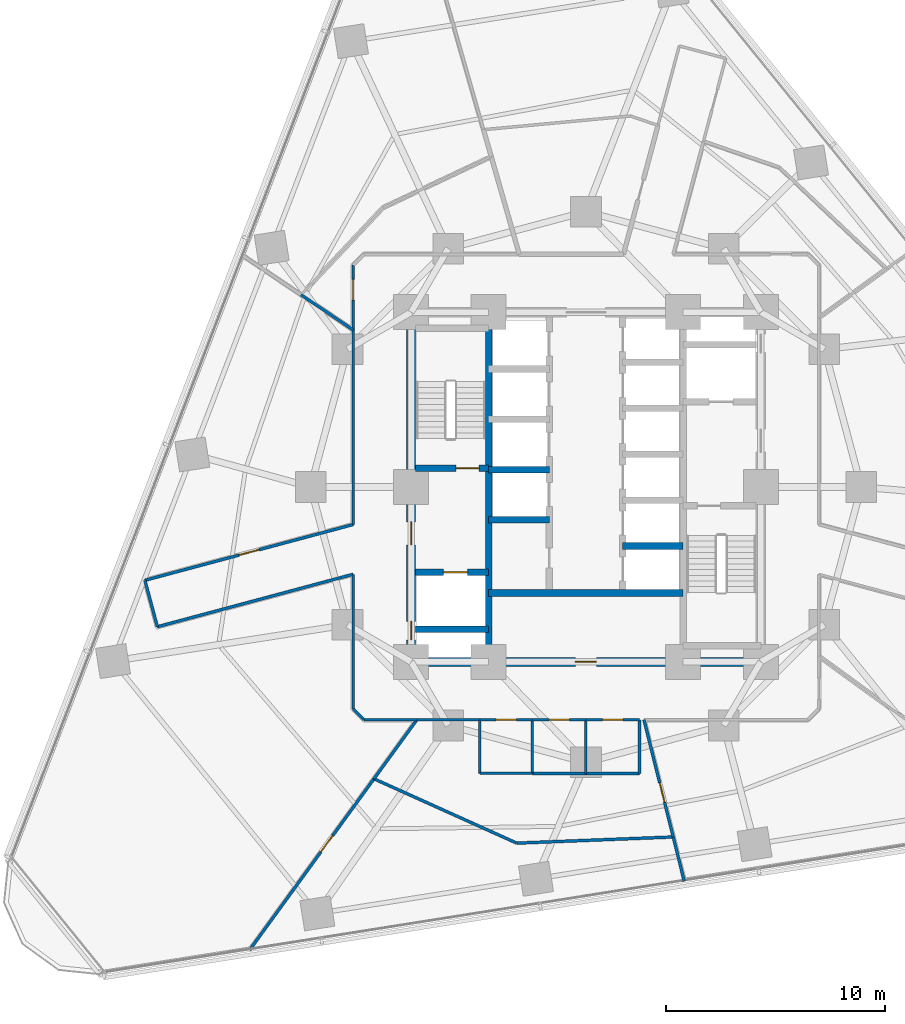
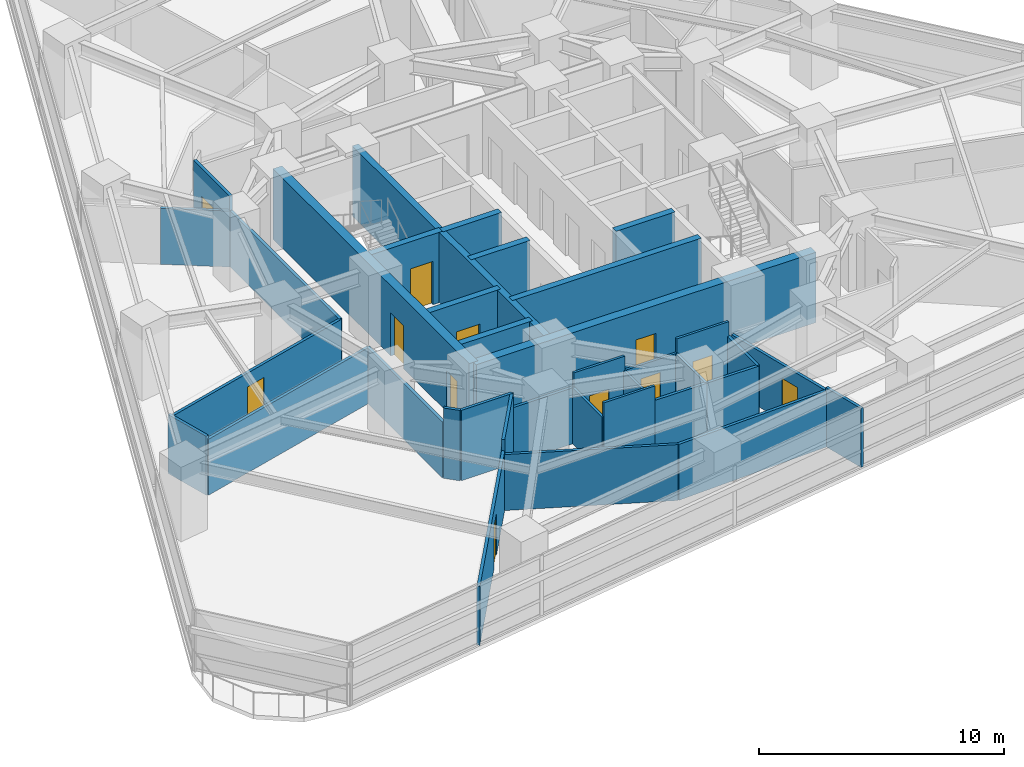
# One storey, part 7 of 13: 36 walls, 12 doors, 12 openings.
"""IFC4 building model written with IfcOpenShell, lengths in metres."""

from ifc_helpers import new_model, si_unit, direction, frame, frame_2d, origin, place, context, subcontext, project, spatial, rectangle, extrude, material, layer, layer_set, type_object, element, fill, save


model = new_model("IFC4")

# Units and contexts
model_context = context("Model", 3, precision=1e-05, world=origin(), true_north=direction((0.0, 1.0)))
body_context = subcontext(model_context, "Body", "Model", "MODEL_VIEW")
ifc_project = project(units=[si_unit("LENGTHUNIT", "METRE"), si_unit("AREAUNIT", "SQUARE_METRE"), si_unit("VOLUMEUNIT", "CUBIC_METRE"), si_unit("PLANEANGLEUNIT", "RADIAN"), si_unit("MASSUNIT", "GRAM", prefix="KILO")], contexts=[model_context])

# Site, building, storey
site_placement = place(None, origin())
site = spatial("IfcSite", under=ifc_project, at=site_placement, CompositionType="ELEMENT")
building_placement = place(site_placement, origin())
building = spatial("IfcBuilding", under=site, at=building_placement, Name="Terralouvre Media Tower", CompositionType="ELEMENT")
storey_placement = place(building_placement, frame((0.0, 0.0, 55.60009765625)))
storey = spatial("IfcBuildingStorey", under=building, at=storey_placement, Name="L13", CompositionType="ELEMENT", Elevation=55.60009765625)

# Wall
ifc_material_1 = material(Name="Concrete C50/60", Category="concrete")
ifc_layer_1 = layer(ifc_material_1, 0.300048828125, Name="Core Internal Shaft Wall CW-300")
ifc_layer_set_1 = layer_set([ifc_layer_1], Name="Concrete C50/60")
wall_type_1 = type_object("IfcWallType", Name="Core Internal Shaft Wall CW-300", PredefinedType="SHEAR", material=ifc_layer_set_1)
wall_1_placement = place(storey_placement, frame((-4.449951171875, -7.7900390625, 0.0), z_axis=(0.0, 0.0, 1.0), x_axis=(0.0, 1.0, 0.0)))
element("IfcWall", 1, at=wall_1_placement, inside=storey, type_object=wall_type_1, Name="L13 Core Shaft Wall SPW", PredefinedType="SHEAR", context=body_context, shape_type="SweptSolid", body=[
    extrude(rectangle(XDim=15.580078125, YDim=0.300048828125, at=frame_2d((7.7900390625, 0.0))), origin(), (0.0, 0.0, 1.0), 3.5),
])

# Wall, opening, door
wall_2_placement = place(storey_placement, frame((-7.7900390625, 0.85009765625, 0.0), z_axis=(0.0, 0.0, 1.0), x_axis=(1.0, 0.0, 0.0)))
wall_2 = element("IfcWall", 2, at=wall_2_placement, inside=storey, type_object=wall_type_1, Name="L13 Core Shaft Wall ST1D", PredefinedType="SHEAR", context=body_context, shape_type="SweptSolid", body=[
    extrude(rectangle(XDim=3.340087890625, YDim=0.300048828125, at=frame_2d((1.669921875, 0.0))), origin(), (0.0, 0.0, 1.0), 3.5),
])
opening_1_placement = place(wall_2_placement, frame((1.85009765625, 0.0, 0.0)))
opening_1 = element("IfcOpeningElement", 3, at=opening_1_placement, cuts=wall_2, Name="Opening FD-01-105X215", PredefinedType="OPENING", context=body_context, shape_type="SweptSolid", body=[
    extrude(rectangle(XDim=1.050048828125, YDim=2.14990234375, at=frame_2d((0.52490234375, 1.074951171875))), frame((0.0, 0.159912109375, 0.0), z_axis=(0.0, -1.0, 0.0), x_axis=(1.0, 0.0, 0.0)), (0.0, 0.0, 1.0), 0.320068359375),
])
ifc_material_2 = material(Name="Galvanised steel fire-resisting leaf", Category="steel")
door_type_1 = type_object("IfcDoorType", Name="Stair and Firefighting Lobby Fire Door FD-01 (1050x2150)", OperationType="NOTDEFINED", PredefinedType="DOOR", material=ifc_material_2)
door_1_placement = place(opening_1_placement, origin())
door_1 = element("IfcDoor", 4, at=door_1_placement, inside=storey, type_object=door_type_1, Name="L13 ST-01 Exit Stair Door", OperationType="SINGLE_SWING_LEFT", OverallHeight=2.14990234375, OverallWidth=1.050048828125, PredefinedType="DOOR", context=body_context, shape_type="SweptSolid", body=[
    extrude(rectangle(XDim=1.050048828125, YDim=2.14990234375, at=frame_2d((0.52490234375, 1.074951171875))), frame((0.0, 0.02490234375, 0.0), z_axis=(0.0, -1.0, 0.0), x_axis=(1.0, 0.0, 0.0)), (0.0, 0.0, 1.0), 0.050048828125),
])
fill(opening_1, door_1)

wall_3_placement = place(storey_placement, frame((-7.7900390625, -3.89990234375, 0.0), z_axis=(0.0, 0.0, 1.0), x_axis=(1.0, 0.0, 0.0)))
wall_3 = element("IfcWall", 5, at=wall_3_placement, inside=storey, type_object=wall_type_1, Name="L13 Core Shaft Wall FF1N", PredefinedType="SHEAR", context=body_context, shape_type="SweptSolid", body=[
    extrude(rectangle(XDim=3.340087890625, YDim=0.300048828125, at=frame_2d((1.669921875, 0.0))), origin(), (0.0, 0.0, 1.0), 3.5),
])
opening_2_placement = place(wall_3_placement, frame((1.27001953125, 0.0, 0.0)))
opening_2 = element("IfcOpeningElement", 6, at=opening_2_placement, cuts=wall_3, Name="Opening LD-FF", PredefinedType="OPENING", context=body_context, shape_type="SweptSolid", body=[
    extrude(rectangle(XDim=1.10009765625, YDim=2.10009765625, at=frame_2d((0.550048828125, 1.050048828125))), frame((0.0, 0.159912109375, 0.0), z_axis=(0.0, -1.0, 0.0), x_axis=(1.0, 0.0, 0.0)), (0.0, 0.0, 1.0), 0.320068359375),
])
ifc_material_3 = material(Name="Stainless steel 316 handrail and balustrade", Category="steel")
door_type_2 = type_object("IfcDoorType", Name="Firefighting Lift Sliding Landing Door LD-FF", OperationType="SLIDING_TO_LEFT", PredefinedType="DOOR", material=ifc_material_3)
door_2_placement = place(opening_2_placement, origin())
door_2 = element("IfcDoor", 7, at=door_2_placement, inside=storey, type_object=door_type_2, Name="L13 Firefighting Lift FFL-01 Landing Door", OperationType="SLIDING_TO_LEFT", OverallHeight=2.10009765625, OverallWidth=1.10009765625, PredefinedType="DOOR", context=body_context, shape_type="SweptSolid", body=[
    extrude(rectangle(XDim=1.10009765625, YDim=2.10009765625, at=frame_2d((0.550048828125, 1.050048828125))), frame((0.0, 0.02490234375, 0.0), z_axis=(0.0, -1.0, 0.0), x_axis=(1.0, 0.0, 0.0)), (0.0, 0.0, 1.0), 0.050048828125),
])
fill(opening_2, door_2)

# Walls
wall_4_placement = place(storey_placement, frame((-7.7900390625, -6.5, 0.0), z_axis=(0.0, 0.0, 1.0), x_axis=(1.0, 0.0, 0.0)))
element("IfcWall", 8, at=wall_4_placement, inside=storey, type_object=wall_type_1, Name="L13 Core Shaft Wall FF1S", PredefinedType="SHEAR", context=body_context, shape_type="SweptSolid", body=[
    extrude(rectangle(XDim=3.340087890625, YDim=0.300048828125, at=frame_2d((1.669921875, 0.0))), origin(), (0.0, 0.0, 1.0), 3.5),
])
wall_5_placement = place(storey_placement, frame((-4.449951171875, -4.85009765625, 0.0), z_axis=(0.0, 0.0, 1.0), x_axis=(1.0, 0.0, 0.0)))
element("IfcWall", 9, at=wall_5_placement, inside=storey, type_object=wall_type_1, Name="L13 Core Shaft Wall CSBN", PredefinedType="SHEAR", context=body_context, shape_type="SweptSolid", body=[
    extrude(rectangle(XDim=8.89990234375, YDim=0.300048828125, at=frame_2d((4.449951171875, 0.0))), origin(), (0.0, 0.0, 1.0), 3.5),
])
for number, where, z_axis, x_axis, name in (
    (10, (-4.449951171875, -1.5, 0.0), (0.0, 0.0, 1.0), (1.0, 0.0, 0.0), "L13 Core Shaft Wall PLLD0"),
    (11, (-4.449951171875, 0.800048828125, 0.0), (0.0, 0.0, 1.0), (1.0, 0.0, 0.0), "L13 Core Shaft Wall PLLD1"),
    (12, (1.679931640625, -2.699951171875, 0.0), (0.0, 0.0, 1.0), (1.0, 0.0, 0.0), "L13 Core Shaft Wall PLHD1"),
):
    element("IfcWall", number, at=place(storey_placement, frame(where, z_axis=z_axis, x_axis=x_axis)), inside=storey, type_object=wall_type_1, Name=name, PredefinedType="SHEAR", context=body_context, shape_type="SweptSolid", body=[
        extrude(rectangle(XDim=2.77001953125, YDim=0.300048828125, at=frame_2d((1.385009765625, 0.0))), origin(), (0.0, 0.0, 1.0), 3.5),
    ])

# Wall, openings, doors
ifc_material_4 = material(Name="Concrete C60/75", Category="concrete")
ifc_layer_2 = layer(ifc_material_4, 0.419921875, Name="Core Reinforced Concrete Shear Wall CW-420")
ifc_layer_set_2 = layer_set([ifc_layer_2], Name="Concrete C60/75")
wall_type_2 = type_object("IfcWallType", Name="Core Reinforced Concrete Shear Wall CW-420", PredefinedType="SHEAR", material=ifc_layer_set_2)
wall_6_placement = place(storey_placement, frame((-8.0, -8.0, 0.0), z_axis=(0.0, 0.0, 1.0), x_axis=(0.0, 1.0, 0.0)))
wall_6 = element("IfcWall", 13, at=wall_6_placement, inside=storey, type_object=wall_type_2, Name="L13 W Core Shear Wall", PredefinedType="SHEAR", context=body_context, shape_type="SweptSolid", body=[
    extrude(rectangle(XDim=16.0, YDim=0.419921875, at=frame_2d((8.0, 0.0))), origin(), (0.0, 0.0, 1.0), 3.5),
])
opening_3_placement = place(wall_6_placement, frame((1.001708984375, 0.0, 0.0)))
opening_3 = element("IfcOpeningElement", 14, at=opening_3_placement, cuts=wall_6, Name="Opening TD-R1", PredefinedType="OPENING", context=body_context, shape_type="SweptSolid", body=[
    extrude(rectangle(XDim=0.85009765625, YDim=2.02001953125, at=frame_2d((0.425048828125, 1.010009765625))), frame((0.0, 0.219970703125, 0.0), z_axis=(0.0, -1.0, 0.0), x_axis=(1.0, 0.0, 0.0)), (0.0, 0.0, 1.0), 0.43994140625),
])
opening_4_placement = place(wall_6_placement, frame((5.35009765625, 0.0, 0.0)))
opening_4 = element("IfcOpeningElement", 15, at=opening_4_placement, cuts=wall_6, Name="Opening FD-01-105X215", PredefinedType="OPENING", context=body_context, shape_type="SweptSolid", body=[
    extrude(rectangle(XDim=1.050048828125, YDim=2.14990234375, at=frame_2d((0.52490234375, 1.074951171875))), frame((0.0, 0.219970703125, 0.0), z_axis=(0.0, -1.0, 0.0), x_axis=(1.0, 0.0, 0.0)), (0.0, 0.0, 1.0), 0.43994140625),
])
ifc_material_5 = material(Name="Galvanised steel fire-resisting leaf", Category="steel")
door_type_3 = type_object("IfcDoorType", Name="Riser Inspection Access Trapdoor TD-R1", OperationType="NOTDEFINED", PredefinedType="TRAPDOOR", material=ifc_material_5)
door_3_placement = place(opening_3_placement, origin())
door_3 = element("IfcDoor", 16, at=door_3_placement, inside=storey, type_object=door_type_3, Name="L13 Wet Riser Access Trapdoor", OperationType="SINGLE_SWING_LEFT", OverallHeight=2.02001953125, OverallWidth=0.85009765625, PredefinedType="TRAPDOOR", context=body_context, shape_type="SweptSolid", body=[
    extrude(rectangle(XDim=0.85009765625, YDim=2.02001953125, at=frame_2d((0.425048828125, 1.010009765625))), frame((0.0, 0.02490234375, 0.0), z_axis=(0.0, -1.0, 0.0), x_axis=(1.0, 0.0, 0.0)), (0.0, 0.0, 1.0), 0.050048828125),
])
fill(opening_3, door_3)
door_4_placement = place(opening_4_placement, origin())
door_4 = element("IfcDoor", 17, at=door_4_placement, inside=storey, type_object=door_type_1, Name="L13 West Firefighting Lobby Entry Door", OperationType="SINGLE_SWING_RIGHT", OverallHeight=2.14990234375, OverallWidth=1.050048828125, PredefinedType="DOOR", context=body_context, shape_type="SweptSolid", body=[
    extrude(rectangle(XDim=1.050048828125, YDim=2.14990234375, at=frame_2d((0.52490234375, 1.074951171875))), frame((0.0, 0.02490234375, 0.0), z_axis=(0.0, -1.0, 0.0), x_axis=(1.0, 0.0, 0.0)), (0.0, 0.0, 1.0), 0.050048828125),
])
fill(opening_4, door_4)

# Wall, opening, door
wall_7_placement = place(storey_placement, frame((-8.0, -8.0, 0.0), z_axis=(0.0, 0.0, 1.0), x_axis=(1.0, 0.0, 0.0)))
wall_7 = element("IfcWall", 18, at=wall_7_placement, inside=storey, type_object=wall_type_2, Name="L13 S Core Shear Wall", PredefinedType="SHEAR", context=body_context, shape_type="SweptSolid", body=[
    extrude(rectangle(XDim=16.0, YDim=0.419921875, at=frame_2d((8.0, 0.0))), origin(), (0.0, 0.0, 1.0), 3.5),
])
opening_5_placement = place(wall_7_placement, frame((7.52001953125, 0.0, 0.0)))
opening_5 = element("IfcOpeningElement", 19, at=opening_5_placement, cuts=wall_7, Name="Opening FD-02-95X210", PredefinedType="OPENING", context=body_context, shape_type="SweptSolid", body=[
    extrude(rectangle(XDim=0.949951171875, YDim=2.10009765625, at=frame_2d((0.47509765625, 1.050048828125))), frame((0.0, 0.219970703125, 0.0), z_axis=(0.0, -1.0, 0.0), x_axis=(1.0, 0.0, 0.0)), (0.0, 0.0, 1.0), 0.43994140625),
])
ifc_material_6 = material(Name="Galvanised steel fire-resisting leaf", Category="steel")
door_type_4 = type_object("IfcDoorType", Name="Plant and Riser Fire Door FD-02 (950x2100)", OperationType="NOTDEFINED", PredefinedType="DOOR", material=ifc_material_6)
door_5_placement = place(opening_5_placement, origin())
door_5 = element("IfcDoor", 20, at=door_5_placement, inside=storey, type_object=door_type_4, Name="L13 Core Switchgear Plant Door", OperationType="SINGLE_SWING_LEFT", OverallHeight=2.10009765625, OverallWidth=0.949951171875, PredefinedType="DOOR", context=body_context, shape_type="SweptSolid", body=[
    extrude(rectangle(XDim=0.949951171875, YDim=2.10009765625, at=frame_2d((0.47509765625, 1.050048828125))), frame((0.0, 0.02490234375, 0.0), z_axis=(0.0, -1.0, 0.0), x_axis=(1.0, 0.0, 0.0)), (0.0, 0.0, 1.0), 0.050048828125),
])
fill(opening_5, door_5)

# Wall
ifc_material_7 = material(Name="Fire-rated gypsum board drywall partition")
ifc_layer_3 = layer(ifc_material_7, 0.135009765625, Name="Newsroom Acoustic Partition PT-135")
ifc_layer_set_3 = layer_set([ifc_layer_3], Name="Fire-rated gypsum board drywall partition")
wall_type_3 = type_object("IfcWallType", Name="Newsroom Acoustic Partition PT-135", PredefinedType="PARTITIONING", material=ifc_layer_set_3)
wall_8_placement = place(storey_placement, frame((-10.64990234375, 7.18408203125, 0.0), z_axis=(0.0, 0.0, 1.0), x_axis=(0.0, -1.0, 0.0)))
element("IfcWall", 21, at=wall_8_placement, inside=storey, type_object=wall_type_3, Name="L13 Interior Partition 006", PredefinedType="PARTITIONING", context=body_context, shape_type="SweptSolid", body=[
    extrude(rectangle(XDim=8.899169921875, YDim=0.135009765625, at=frame_2d((4.44970703125, 0.0))), origin(), (0.0, 0.0, 1.0), 2.784912109375),
])

# Wall, opening, door
wall_9_placement = place(storey_placement, frame((-10.64990234375, -1.715087890625, 0.0), z_axis=(0.0, 0.0, 1.0), x_axis=(-0.965937452198, -0.258775652721, 0.0)))
wall_9 = element("IfcWall", 22, at=wall_9_placement, inside=storey, type_object=wall_type_3, Name="L13 Interior Partition 007", PredefinedType="PARTITIONING", context=body_context, shape_type="SweptSolid", body=[
    extrude(rectangle(XDim=9.869384765625, YDim=0.135009765625, at=frame_2d((4.9345703125, 0.0))), origin(), (0.0, 0.0, 1.0), 2.784912109375),
])
opening_6_placement = place(wall_9_placement, frame((4.459716796875, 0.0, 0.0)))
opening_6 = element("IfcOpeningElement", 23, at=opening_6_placement, cuts=wall_9, Name="Opening ID-02-95X210", PredefinedType="OPENING", context=body_context, shape_type="SweptSolid", body=[
    extrude(rectangle(XDim=0.949951171875, YDim=2.10009765625, at=frame_2d((0.47509765625, 1.050048828125))), frame((0.0, 0.077392578125, 0.0), z_axis=(0.0, -1.0, 0.0), x_axis=(1.0, 0.0, 0.0)), (0.0, 0.0, 1.0), 0.155029296875),
])
ifc_material_8 = material(Name="Engineered hardwood acoustic timber leaf", Category="wood")
door_type_5 = type_object("IfcDoorType", Name="Office and Meeting Room Door ID-02 (950x2100)", OperationType="NOTDEFINED", PredefinedType="DOOR", material=ifc_material_8)
door_6_placement = place(opening_6_placement, origin())
door_6 = element("IfcDoor", 24, at=door_6_placement, inside=storey, type_object=door_type_5, Name="L13 Podcast Editing Creative Workshop 2 Door", OperationType="SINGLE_SWING_LEFT", OverallHeight=2.10009765625, OverallWidth=0.949951171875, PredefinedType="DOOR", context=body_context, shape_type="SweptSolid", body=[
    extrude(rectangle(XDim=0.949951171875, YDim=2.10009765625, at=frame_2d((0.47509765625, 1.050048828125))), frame((0.0, 0.02490234375, 0.0), z_axis=(0.0, -1.0, 0.0), x_axis=(1.0, 0.0, 0.0)), (0.0, 0.0, 1.0), 0.050048828125),
])
fill(opening_6, door_6)

# Walls
wall_10_placement = place(storey_placement, frame((-20.18310546875, -4.26904296875, 0.0), z_axis=(0.0, 0.0, 1.0), x_axis=(0.259105843213, -0.965848933329, 0.0)))
element("IfcWall", 25, at=wall_10_placement, inside=storey, type_object=wall_type_3, Name="L13 Interior Partition 008", PredefinedType="PARTITIONING", context=body_context, shape_type="SweptSolid", body=[
    extrude(rectangle(XDim=2.2001953125, YDim=0.135009765625, at=frame_2d((1.10009765625, 0.0))), origin(), (0.0, 0.0, 1.0), 2.934814453125),
])
wall_11_placement = place(storey_placement, frame((-19.613037109375, -6.39404296875, 0.0), z_axis=(0.0, 0.0, 1.0), x_axis=(0.96591410887, 0.258862771148, 0.0)))
element("IfcWall", 26, at=wall_11_placement, inside=storey, type_object=wall_type_3, Name="L13 Interior Partition 009", PredefinedType="PARTITIONING", context=body_context, shape_type="SweptSolid", body=[
    extrude(rectangle(XDim=9.279541015625, YDim=0.135009765625, at=frame_2d((4.6396484375, 0.0))), origin(), (0.0, 0.0, 1.0), 2.784912109375),
])
wall_12_placement = place(storey_placement, frame((-10.64990234375, -3.991943359375, 0.0), z_axis=(0.0, 0.0, 1.0), x_axis=(0.0, -1.0, 0.0)))
element("IfcWall", 27, at=wall_12_placement, inside=storey, type_object=wall_type_3, Name="L13 Interior Partition 010", PredefinedType="PARTITIONING", context=body_context, shape_type="SweptSolid", body=[
    extrude(rectangle(XDim=6.157958984375, YDim=0.135009765625, at=frame_2d((3.0791015625, 0.0))), origin(), (0.0, 0.0, 1.0), 2.784912109375),
])
wall_13_placement = place(storey_placement, frame((-10.64990234375, -10.14990234375, 0.0), z_axis=(0.0, 0.0, 1.0), x_axis=(0.707106781187, -0.707106781187, 0.0)))
element("IfcWall", 28, at=wall_13_placement, inside=storey, type_object=wall_type_3, Name="L13 Interior Partition 011", PredefinedType="PARTITIONING", context=body_context, shape_type="SweptSolid", body=[
    extrude(rectangle(XDim=0.70703125, YDim=0.135009765625, at=frame_2d((0.353515625, 0.0))), origin(), (0.0, 0.0, 1.0), 3.5),
])
wall_14_placement = place(storey_placement, frame((-10.14990234375, -10.64990234375, 0.0), z_axis=(0.0, 0.0, 1.0), x_axis=(1.0, 0.0, 0.0)))
element("IfcWall", 29, at=wall_14_placement, inside=storey, type_object=wall_type_3, Name="L13 Interior Partition 012", PredefinedType="PARTITIONING", context=body_context, shape_type="SweptSolid", body=[
    extrude(rectangle(XDim=2.411865234375, YDim=0.135009765625, at=frame_2d((1.2060546875, 0.0))), origin(), (0.0, 0.0, 1.0), 3.5),
])
wall_15_placement = place(storey_placement, frame((-7.738037109375, -10.64990234375, 0.0), z_axis=(0.0, 0.0, 1.0), x_axis=(1.0, 0.0, 0.0)))
element("IfcWall", 30, at=wall_15_placement, inside=storey, type_object=wall_type_3, Name="L13 Interior Partition 023", PredefinedType="PARTITIONING", context=body_context, shape_type="SweptSolid", body=[
    extrude(rectangle(XDim=2.887939453125, YDim=0.135009765625, at=frame_2d((1.44384765625, 0.0))), origin(), (0.0, 0.0, 1.0), 2.784912109375),
])

# Wall, opening, door
wall_16_placement = place(storey_placement, frame((-10.64990234375, 10.14990234375, 0.0), z_axis=(0.0, 0.0, 1.0), x_axis=(0.0, -1.0, 0.0)))
wall_16 = element("IfcWall", 31, at=wall_16_placement, inside=storey, type_object=wall_type_3, Name="L13 Interior Partition 031", PredefinedType="PARTITIONING", context=body_context, shape_type="SweptSolid", body=[
    extrude(rectangle(XDim=2.9658203125, YDim=0.135009765625, at=frame_2d((1.48291015625, 0.0))), origin(), (0.0, 0.0, 1.0), 3.5),
])
opening_7_placement = place(wall_16_placement, frame((0.652099609375, 0.0, 0.0)))
opening_7 = element("IfcOpeningElement", 32, at=opening_7_placement, cuts=wall_16, Name="Opening ID-02-95X210", PredefinedType="OPENING", context=body_context, shape_type="SweptSolid", body=[
    extrude(rectangle(XDim=0.949951171875, YDim=2.10009765625, at=frame_2d((0.47509765625, 1.050048828125))), frame((0.0, 0.077392578125, 0.0), z_axis=(0.0, -1.0, 0.0), x_axis=(1.0, 0.0, 0.0)), (0.0, 0.0, 1.0), 0.155029296875),
])
door_7_placement = place(opening_7_placement, origin())
door_7 = element("IfcDoor", 33, at=door_7_placement, inside=storey, type_object=door_type_5, Name="L13 QA Testing Workspace 10 Door", OperationType="SINGLE_SWING_LEFT", OverallHeight=2.10009765625, OverallWidth=0.949951171875, PredefinedType="DOOR", context=body_context, shape_type="SweptSolid", body=[
    extrude(rectangle(XDim=0.949951171875, YDim=2.10009765625, at=frame_2d((0.47509765625, 1.050048828125))), frame((0.0, 0.02490234375, 0.0), z_axis=(0.0, -1.0, 0.0), x_axis=(1.0, 0.0, 0.0)), (0.0, 0.0, 1.0), 0.050048828125),
])
fill(opening_7, door_7)

wall_17_placement = place(storey_placement, frame((-15.392822265625, -21.187255859375, 0.0), z_axis=(0.0, 0.0, 1.0), x_axis=(0.587736917223, 0.809052109653, 0.0)))
wall_17 = element("IfcWall", 34, at=wall_17_placement, inside=storey, type_object=wall_type_3, Name="L13 Interior Partition 035", PredefinedType="PARTITIONING", context=body_context, shape_type="SweptSolid", body=[
    extrude(rectangle(XDim=9.684326171875, YDim=0.135009765625, at=frame_2d((4.84228515625, 0.0))), origin(), (0.0, 0.0, 1.0), 2.934814453125),
])
opening_8_placement = place(wall_17_placement, frame((5.54443359375, 0.0, 0.0)))
opening_8 = element("IfcOpeningElement", 35, at=opening_8_placement, cuts=wall_17, Name="Opening ID-03-92X210", PredefinedType="OPENING", context=body_context, shape_type="SweptSolid", body=[
    extrude(rectangle(XDim=0.919921875, YDim=2.10009765625, at=frame_2d((0.4599609375, 1.050048828125))), frame((0.0, 0.077392578125, 0.0), z_axis=(0.0, -1.0, 0.0), x_axis=(1.0, 0.0, 0.0)), (0.0, 0.0, 1.0), 0.155029296875),
])
ifc_material_9 = material(Name="Engineered hardwood acoustic timber leaf", Category="wood")
door_type_6 = type_object("IfcDoorType", Name="Accessible Restroom and Suite Door ID-03 (920x2100)", OperationType="NOTDEFINED", PredefinedType="DOOR", material=ifc_material_9)
door_8_placement = place(opening_8_placement, origin())
door_8 = element("IfcDoor", 36, at=door_8_placement, inside=storey, type_object=door_type_6, Name="L13 Hardware Prototype Storage 6 Door", OperationType="SINGLE_SWING_RIGHT", OverallHeight=2.10009765625, OverallWidth=0.919921875, PredefinedType="DOOR", context=body_context, shape_type="SweptSolid", body=[
    extrude(rectangle(XDim=0.919921875, YDim=2.10009765625, at=frame_2d((0.4599609375, 1.050048828125))), frame((0.0, 0.02490234375, 0.0), z_axis=(0.0, -1.0, 0.0), x_axis=(1.0, 0.0, 0.0)), (0.0, 0.0, 1.0), 0.050048828125),
])
fill(opening_8, door_8)

# Walls
wall_18_placement = place(storey_placement, frame((-9.700927734375, -13.35205078125, 0.0), z_axis=(0.0, 0.0, 1.0), x_axis=(0.587719574609, 0.809064707932, 0.0)))
element("IfcWall", 37, at=wall_18_placement, inside=storey, type_object=wall_type_3, Name="L13 Interior Partition 036", PredefinedType="PARTITIONING", context=body_context, shape_type="SweptSolid", body=[
    extrude(rectangle(XDim=3.33984375, YDim=0.135009765625, at=frame_2d((1.669921875, 0.0))), origin(), (0.0, 0.0, 1.0), 3.5),
])
wall_19_placement = place(storey_placement, frame((-10.64990234375, 7.18408203125, 0.0), z_axis=(0.0, 0.0, 1.0), x_axis=(-0.829039234985, 0.559190438809, 0.0)))
element("IfcWall", 38, at=wall_19_placement, inside=storey, type_object=wall_type_3, Name="L13 Interior Partition 038", PredefinedType="PARTITIONING", context=body_context, shape_type="SweptSolid", body=[
    extrude(rectangle(XDim=2.880615234375, YDim=0.135009765625, at=frame_2d((1.4404296875, 0.0))), origin(), (0.0, 0.0, 1.0), 2.784912109375),
])
wall_20_placement = place(storey_placement, frame((3.992919921875, -16.013916015625, 0.0), z_axis=(0.0, 0.0, 1.0), x_axis=(-0.999230720769, -0.039216918185, 0.0)))
element("IfcWall", 39, at=wall_20_placement, inside=storey, type_object=wall_type_3, Name="L13 Interior Partition 046", PredefinedType="PARTITIONING", context=body_context, shape_type="SweptSolid", body=[
    extrude(rectangle(XDim=7.16552734375, YDim=0.135009765625, at=frame_2d((3.582763671875, 0.0))), origin(), (0.0, 0.0, 1.0), 2.784912109375),
])
wall_21_placement = place(storey_placement, frame((-3.1669921875, -16.294921875, 0.0), z_axis=(0.0, 0.0, 1.0), x_axis=(-0.911785675506, 0.410666387645, 0.0)))
element("IfcWall", 40, at=wall_21_placement, inside=storey, type_object=wall_type_3, Name="L13 Interior Partition 047", PredefinedType="PARTITIONING", context=body_context, shape_type="SweptSolid", body=[
    extrude(rectangle(XDim=7.166015625, YDim=0.135009765625, at=frame_2d((3.5830078125, 0.0))), origin(), (0.0, 0.0, 1.0), 2.784912109375),
])
wall_22_placement = place(storey_placement, frame((4.49658203125, -18.037109375, 0.0), z_axis=(0.0, 0.0, 1.0), x_axis=(-0.24157117672, 0.970383102995, 0.0)))
element("IfcWall", 41, at=wall_22_placement, inside=storey, type_object=wall_type_3, Name="L13 Interior Partition 048", PredefinedType="PARTITIONING", context=body_context, shape_type="SweptSolid", body=[
    extrude(rectangle(XDim=2.0849609375, YDim=0.135009765625, at=frame_2d((1.04248046875, 0.0))), origin(), (0.0, 0.0, 1.0), 2.934814453125),
])
wall_23_placement = place(storey_placement, frame((0.0, -13.10009765625, 0.0), z_axis=(0.0, 0.0, 1.0), x_axis=(-1.0, 0.0, 0.0)))
element("IfcWall", 42, at=wall_23_placement, inside=storey, type_object=wall_type_3, Name="L13 Interior Partition 052", PredefinedType="PARTITIONING", context=body_context, shape_type="SweptSolid", body=[
    extrude(rectangle(XDim=2.449951171875, YDim=0.135009765625, at=frame_2d((1.22509765625, 0.0))), origin(), (0.0, 0.0, 1.0), 2.784912109375),
])
wall_24_placement = place(storey_placement, frame((2.449951171875, -10.64990234375, 0.0), z_axis=(0.0, 0.0, 1.0), x_axis=(0.0, -1.0, 0.0)))
element("IfcWall", 43, at=wall_24_placement, inside=storey, type_object=wall_type_3, Name="L13 Interior Partition 053", PredefinedType="PARTITIONING", context=body_context, shape_type="SweptSolid", body=[
    extrude(rectangle(XDim=2.4501953125, YDim=0.135009765625, at=frame_2d((1.22509765625, 0.0))), origin(), (0.0, 0.0, 1.0), 2.784912109375),
])
wall_25_placement = place(storey_placement, frame((2.449951171875, -13.10009765625, 0.0), z_axis=(0.0, 0.0, 1.0), x_axis=(-1.0, 0.0, 0.0)))
element("IfcWall", 44, at=wall_25_placement, inside=storey, type_object=wall_type_3, Name="L13 Interior Partition 054", PredefinedType="PARTITIONING", context=body_context, shape_type="SweptSolid", body=[
    extrude(rectangle(XDim=2.449951171875, YDim=0.135009765625, at=frame_2d((1.22509765625, 0.0))), origin(), (0.0, 0.0, 1.0), 2.784912109375),
])

# Wall, opening, door
wall_26_placement = place(storey_placement, frame((3.992919921875, -16.013916015625, 0.0), z_axis=(0.0, 0.0, 1.0), x_axis=(-0.242005649473, 0.97027484025, 0.0)))
wall_26 = element("IfcWall", 45, at=wall_26_placement, inside=storey, type_object=wall_type_3, Name="L13 Interior Partition 055", PredefinedType="PARTITIONING", context=body_context, shape_type="SweptSolid", body=[
    extrude(rectangle(XDim=5.5283203125, YDim=0.135009765625, at=frame_2d((2.76416015625, 0.0))), origin(), (0.0, 0.0, 1.0), 2.784912109375),
])
opening_9_placement = place(wall_26_placement, frame((1.640869140625, 0.0, 0.0)))
opening_9 = element("IfcOpeningElement", 46, at=opening_9_placement, cuts=wall_26, Name="Opening ID-03-92X210", PredefinedType="OPENING", context=body_context, shape_type="SweptSolid", body=[
    extrude(rectangle(XDim=0.919921875, YDim=2.10009765625, at=frame_2d((0.4599609375, 1.050048828125))), frame((0.0, 0.077392578125, 0.0), z_axis=(0.0, -1.0, 0.0), x_axis=(1.0, 0.0, 0.0)), (0.0, 0.0, 1.0), 0.155029296875),
])
door_9_placement = place(opening_9_placement, origin())
door_9 = element("IfcDoor", 47, at=door_9_placement, inside=storey, type_object=door_type_6, Name="L13 Developer Rest Lounge 7 Door", OperationType="SINGLE_SWING_LEFT", OverallHeight=2.10009765625, OverallWidth=0.919921875, PredefinedType="DOOR", context=body_context, shape_type="SweptSolid", body=[
    extrude(rectangle(XDim=0.919921875, YDim=2.10009765625, at=frame_2d((0.4599609375, 1.050048828125))), frame((0.0, 0.02490234375, 0.0), z_axis=(0.0, -1.0, 0.0), x_axis=(1.0, 0.0, 0.0)), (0.0, 0.0, 1.0), 0.050048828125),
])
fill(opening_9, door_9)

ifc_material_10 = material(Name="Fire-rated gypsum board drywall partition")
ifc_layer_4 = layer(ifc_material_10, 0.114990234375, Name="Restroom and Pantry Partition PT-115")
ifc_layer_set_4 = layer_set([ifc_layer_4], Name="Fire-rated gypsum board drywall partition")
wall_type_4 = type_object("IfcWallType", Name="Restroom and Pantry Partition PT-115", PredefinedType="PARTITIONING", material=ifc_layer_set_4)
wall_27_placement = place(storey_placement, frame((-4.85009765625, -10.64990234375, 0.0), z_axis=(0.0, 0.0, 1.0), x_axis=(1.0, 0.0, 0.0)))
wall_27 = element("IfcWall", 48, at=wall_27_placement, inside=storey, type_object=wall_type_4, Name="L13 Interior Partition 022", PredefinedType="PARTITIONING", context=body_context, shape_type="SweptSolid", body=[
    extrude(rectangle(XDim=2.400146484375, YDim=0.114990234375, at=frame_2d((1.2001953125, 0.0))), origin(), (0.0, 0.0, 1.0), 3.5),
])
opening_10_placement = place(wall_27_placement, frame((0.739990234375, 0.0, 0.0)))
opening_10 = element("IfcOpeningElement", 49, at=opening_10_placement, cuts=wall_27, Name="Opening ID-03-92X210", PredefinedType="OPENING", context=body_context, shape_type="SweptSolid", body=[
    extrude(rectangle(XDim=0.919921875, YDim=2.10009765625, at=frame_2d((0.4599609375, 1.050048828125))), frame((0.0, 0.0673828125, 0.0), z_axis=(0.0, -1.0, 0.0), x_axis=(1.0, 0.0, 0.0)), (0.0, 0.0, 1.0), 0.135009765625),
])
door_10_placement = place(opening_10_placement, origin())
door_10 = element("IfcDoor", 50, at=door_10_placement, inside=storey, type_object=door_type_6, Name="L13 Male Restroom WC Door", OperationType="SINGLE_SWING_LEFT", OverallHeight=2.10009765625, OverallWidth=0.919921875, PredefinedType="DOOR", context=body_context, shape_type="SweptSolid", body=[
    extrude(rectangle(XDim=0.919921875, YDim=2.10009765625, at=frame_2d((0.4599609375, 1.050048828125))), frame((0.0, 0.02490234375, 0.0), z_axis=(0.0, -1.0, 0.0), x_axis=(1.0, 0.0, 0.0)), (0.0, 0.0, 1.0), 0.050048828125),
])
fill(opening_10, door_10)

wall_28_placement = place(storey_placement, frame((-2.449951171875, -10.64990234375, 0.0), z_axis=(0.0, 0.0, 1.0), x_axis=(1.0, 0.0, 0.0)))
wall_28 = element("IfcWall", 51, at=wall_28_placement, inside=storey, type_object=wall_type_4, Name="L13 Interior Partition 024", PredefinedType="PARTITIONING", context=body_context, shape_type="SweptSolid", body=[
    extrude(rectangle(XDim=2.449951171875, YDim=0.114990234375, at=frame_2d((1.22509765625, 0.0))), origin(), (0.0, 0.0, 1.0), 2.784912109375),
])
opening_11_placement = place(wall_28_placement, frame((0.764892578125, 0.0, 0.0)))
opening_11 = element("IfcOpeningElement", 52, at=opening_11_placement, cuts=wall_28, Name="Opening ID-03-92X210", PredefinedType="OPENING", context=body_context, shape_type="SweptSolid", body=[
    extrude(rectangle(XDim=0.919921875, YDim=2.10009765625, at=frame_2d((0.4599609375, 1.050048828125))), frame((0.0, 0.0673828125, 0.0), z_axis=(0.0, -1.0, 0.0), x_axis=(1.0, 0.0, 0.0)), (0.0, 0.0, 1.0), 0.135009765625),
])
door_11_placement = place(opening_11_placement, origin())
door_11 = element("IfcDoor", 53, at=door_11_placement, inside=storey, type_object=door_type_6, Name="L13 Female Restroom WC Door", OperationType="SINGLE_SWING_RIGHT", OverallHeight=2.10009765625, OverallWidth=0.919921875, PredefinedType="DOOR", context=body_context, shape_type="SweptSolid", body=[
    extrude(rectangle(XDim=0.919921875, YDim=2.10009765625, at=frame_2d((0.4599609375, 1.050048828125))), frame((0.0, 0.02490234375, 0.0), z_axis=(0.0, -1.0, 0.0), x_axis=(1.0, 0.0, 0.0)), (0.0, 0.0, 1.0), 0.050048828125),
])
fill(opening_11, door_11)

wall_29_placement = place(storey_placement, frame((0.0, -10.64990234375, 0.0), z_axis=(0.0, 0.0, 1.0), x_axis=(1.0, 0.0, 0.0)))
wall_29 = element("IfcWall", 54, at=wall_29_placement, inside=storey, type_object=wall_type_4, Name="L13 Interior Partition 025", PredefinedType="PARTITIONING", context=body_context, shape_type="SweptSolid", body=[
    extrude(rectangle(XDim=2.449951171875, YDim=0.114990234375, at=frame_2d((1.22509765625, 0.0))), origin(), (0.0, 0.0, 1.0), 3.5),
])
opening_12_placement = place(wall_29_placement, frame((0.764892578125, 0.0, 0.0)))
opening_12 = element("IfcOpeningElement", 55, at=opening_12_placement, cuts=wall_29, Name="Opening ID-03-92X210", PredefinedType="OPENING", context=body_context, shape_type="SweptSolid", body=[
    extrude(rectangle(XDim=0.919921875, YDim=2.10009765625, at=frame_2d((0.4599609375, 1.050048828125))), frame((0.0, 0.0673828125, 0.0), z_axis=(0.0, -1.0, 0.0), x_axis=(1.0, 0.0, 0.0)), (0.0, 0.0, 1.0), 0.135009765625),
])
door_12_placement = place(opening_12_placement, origin())
door_12 = element("IfcDoor", 56, at=door_12_placement, inside=storey, type_object=door_type_6, Name="L13 Accessible Unisex WC Door", OperationType="SINGLE_SWING_LEFT", OverallHeight=2.10009765625, OverallWidth=0.919921875, PredefinedType="DOOR", context=body_context, shape_type="SweptSolid", body=[
    extrude(rectangle(XDim=0.919921875, YDim=2.10009765625, at=frame_2d((0.4599609375, 1.050048828125))), frame((0.0, 0.02490234375, 0.0), z_axis=(0.0, -1.0, 0.0), x_axis=(1.0, 0.0, 0.0)), (0.0, 0.0, 1.0), 0.050048828125),
])
fill(opening_12, door_12)

# Walls
wall_30_placement = place(storey_placement, frame((-4.85009765625, -10.64990234375, 0.0), z_axis=(0.0, 0.0, 1.0), x_axis=(0.0, -1.0, 0.0)))
element("IfcWall", 57, at=wall_30_placement, inside=storey, type_object=wall_type_4, Name="L13 Interior Partition 049", PredefinedType="PARTITIONING", context=body_context, shape_type="SweptSolid", body=[
    extrude(rectangle(XDim=2.4501953125, YDim=0.114990234375, at=frame_2d((1.22509765625, 0.0))), origin(), (0.0, 0.0, 1.0), 2.784912109375),
])
wall_31_placement = place(storey_placement, frame((-4.85009765625, -13.10009765625, 0.0), z_axis=(0.0, 0.0, 1.0), x_axis=(1.0, 0.0, 0.0)))
element("IfcWall", 58, at=wall_31_placement, inside=storey, type_object=wall_type_4, Name="L13 Interior Partition 050", PredefinedType="PARTITIONING", context=body_context, shape_type="SweptSolid", body=[
    extrude(rectangle(XDim=2.400146484375, YDim=0.114990234375, at=frame_2d((1.2001953125, 0.0))), origin(), (0.0, 0.0, 1.0), 3.5),
])
for number, where, z_axis, x_axis, name in (
    (59, (-2.449951171875, -13.10009765625, 0.0), (0.0, 0.0, 1.0), (0.0, 1.0, 0.0), "L13 Interior Partition 051"),
    (60, (0.0, -13.10009765625, 0.0), (0.0, 0.0, 1.0), (0.0, 1.0, 0.0), "L13 Interior Partition 056"),
):
    element("IfcWall", number, at=place(storey_placement, frame(where, z_axis=z_axis, x_axis=x_axis)), inside=storey, type_object=wall_type_4, Name=name, PredefinedType="PARTITIONING", context=body_context, shape_type="SweptSolid", body=[
        extrude(rectangle(XDim=2.4501953125, YDim=0.114990234375, at=frame_2d((1.22509765625, 0.0))), origin(), (0.0, 0.0, 1.0), 2.784912109375),
    ])

save(model, "model.ifc")
